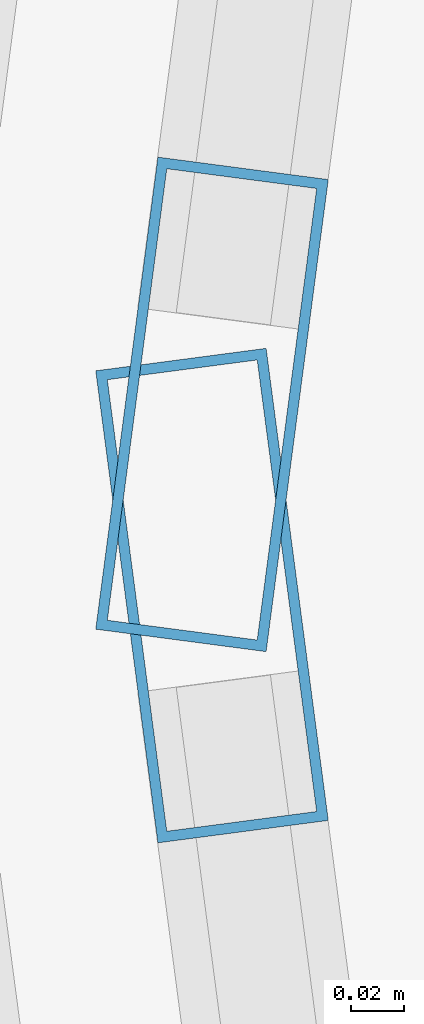
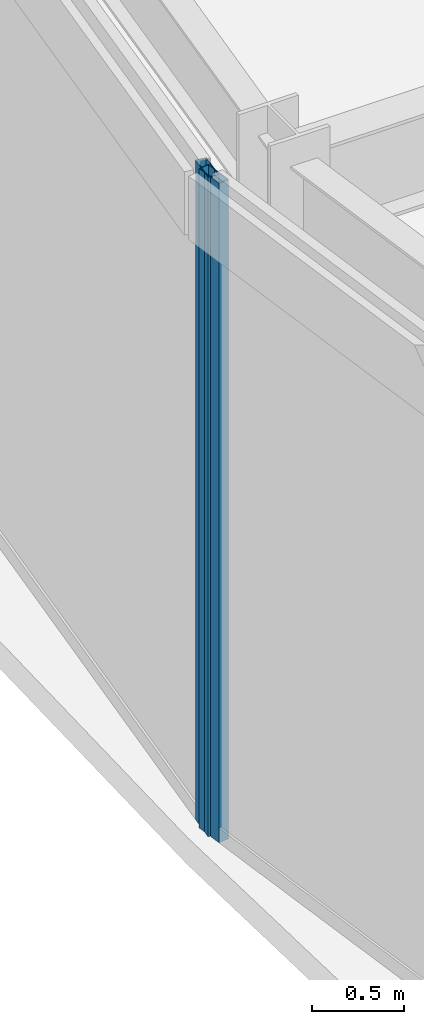
# One storey, part 32 of 157: 2 members, 2 elements without a shape of their own.
"""IFC4 building model written with IfcOpenShell, lengths in metres."""

from ifc_helpers import new_model, si_unit, direction, frame, origin, origin_2d, place, context, subcontext, project, spatial, hollow_rectangle, extrude, material, material_profile, profile_set, type_object, element, aggregate, save


model = new_model("IFC4")

# Units and contexts
model_context = context("Model", 3, precision=1e-05, world=origin(), true_north=direction((0.0, 1.0)))
body_context = subcontext(model_context, "Body", "Model", "MODEL_VIEW")
ifc_project = project(units=[si_unit("LENGTHUNIT", "METRE"), si_unit("AREAUNIT", "SQUARE_METRE"), si_unit("VOLUMEUNIT", "CUBIC_METRE"), si_unit("PLANEANGLEUNIT", "RADIAN"), si_unit("MASSUNIT", "GRAM", prefix="KILO")], contexts=[model_context])

# Site, building, storey
site_placement = place(None, origin())
site = spatial("IfcSite", under=ifc_project, at=site_placement, CompositionType="ELEMENT")
building_placement = place(site_placement, origin())
building = spatial("IfcBuilding", under=site, at=building_placement, Name="Almandine Court Research Institute", CompositionType="ELEMENT")
storey_placement = place(building_placement, frame((0.0, 0.0, 5.25)))
storey = spatial("IfcBuildingStorey", under=building, at=storey_placement, Name="L01", CompositionType="ELEMENT", Elevation=5.25)

# Curtain wall, member
ifc_material_1 = material(Name="Unitised Curtain Wall Framing and Solar Glazing", Category="glass")
curtain_wall_type = type_object("IfcCurtainWallType", Name="CW-CWJ-19", PredefinedType="USERDEFINED", material=ifc_material_1)
curtain_wall_1_placement = place(storey_placement, origin())
curtain_wall_1 = element("IfcCurtainWall", 1, at=curtain_wall_1_placement, inside=storey, type_object=curtain_wall_type, Name="L01 Stacked-Ring Drum Outer Solar Jali Screen 11", ObjectType="SOLAR JALI SCREEN", PredefinedType="USERDEFINED")
ifc_material_2 = material(Name="Anodised Aluminium AW-6063-T6", Category="aluminium")
ifc_material_profile = material_profile(ifc_material_2, hollow_rectangle(XDim=0.06494140625, YDim=0.179931640625, WallThickness=0.00390625, at=origin_2d()), Name="ALU RHS 65x180x4")
ifc_profile_set = profile_set([ifc_material_profile], Name="Anodised Aluminium AW-6063-T6")
member_type = type_object("IfcMemberType", Name="CWMul-65x180", PredefinedType="MULLION", material=ifc_profile_set)
member_1_placement = place(storey_placement, frame((37.644287109375, 56.0361328125, 0.0), z_axis=(0.0, 0.0, 1.0), x_axis=(-0.991442926098, 0.130540891259, 0.0)))
member_1 = element("IfcMember", 2, at=member_1_placement, type_object=member_type, Name="CWJ-19 mullion 1", PredefinedType="MULLION", context=body_context, shape_type="SweptSolid", body=[
    extrude(hollow_rectangle(XDim=0.06494140625, YDim=0.179931640625, WallThickness=0.00390625, at=origin_2d()), origin(), (0.0, 0.0, 1.0), 4.3701171875),
])
aggregate(curtain_wall_1, [member_1])

curtain_wall_2_placement = place(storey_placement, origin())
curtain_wall_2 = element("IfcCurtainWall", 3, at=curtain_wall_2_placement, inside=storey, type_object=curtain_wall_type, Name="L01 Stacked-Ring Drum Outer Solar Jali Screen 12", ObjectType="SOLAR JALI SCREEN", PredefinedType="USERDEFINED")
member_2_placement = place(storey_placement, frame((37.644287109375, 55.9638671875, 0.0), z_axis=(0.0, 0.0, 1.0), x_axis=(-0.991442926098, -0.130540891259, 0.0)))
member_2 = element("IfcMember", 4, at=member_2_placement, type_object=member_type, Name="CWJ-19 mullion 4", PredefinedType="MULLION", context=body_context, shape_type="SweptSolid", body=[
    extrude(hollow_rectangle(XDim=0.06494140625, YDim=0.179931640625, WallThickness=0.00390625, at=origin_2d()), origin(), (0.0, 0.0, 1.0), 4.3701171875),
])
aggregate(curtain_wall_2, [member_2])

save(model, "model.ifc")
